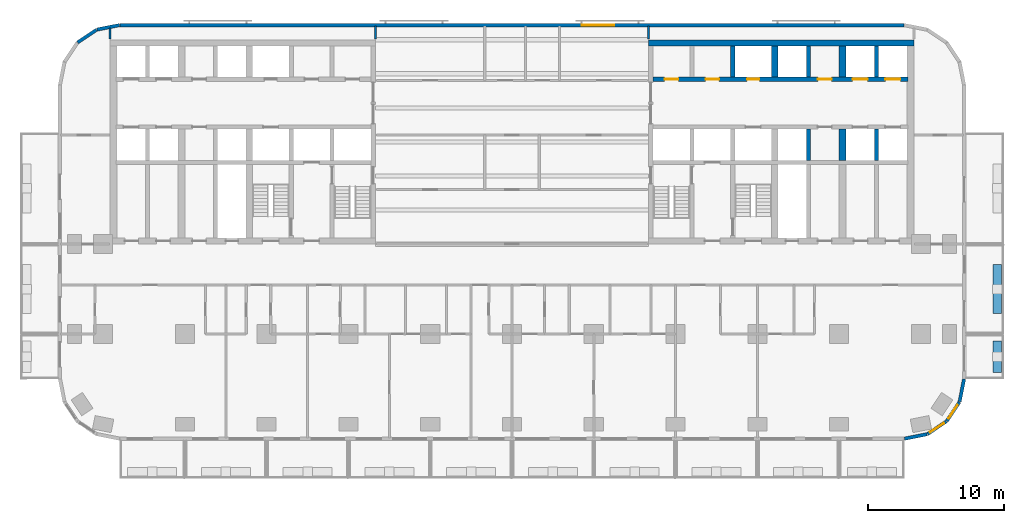
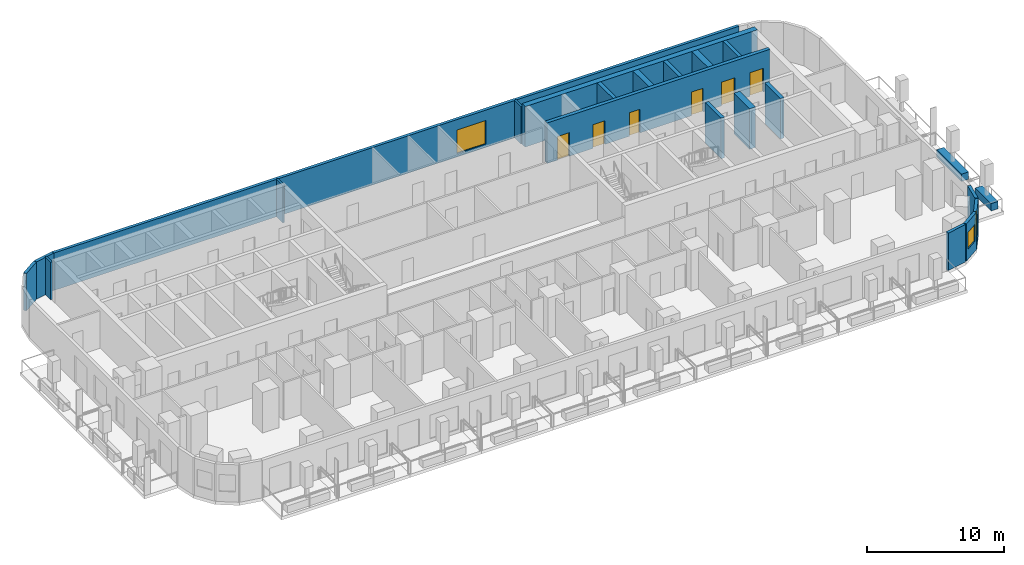
# One storey, part 8 of 14: 22 walls, 6 doors, 3 windows, 9 openings.
"""IFC4 building model written with IfcOpenShell, lengths in metres."""

import ifcopenshell
import ifcopenshell.guid

model = None  # the IFC model being written
_history = None  # IfcOwnerHistory: only IFC2X3 demands one
_inside = {}  # id of a spatial element -> (the spatial element, [elements in it])
_under = {}  # id of a project, library or spatial element -> (it, [spatial elements below it])
_declared = {}  # id of a project -> (the project, [libraries it declares])
_typed = {}  # id of a type object -> (the type object, [elements of that type])
_made_of = {}  # id of a material, layer set ... -> (it, [elements and type objects made of it])


def new_model(schema):
    """Start an empty IFC model of exactly this schema.

    Asked for "IFC4X3", IfcOpenShell would pick the latest addendum, in which some entities
    have other attributes; the version numbers below select the first issue.
    IFC2X3 requires an IfcOwnerHistory on every rooted entity: one is made here for all.
    """
    global model, _history
    if schema == "IFC4X3":
        model = ifcopenshell.file(schema_version=(4, 3, 0, 0))
    else:
        model = ifcopenshell.file(schema=schema)
    _inside.clear()
    _under.clear()
    _declared.clear()
    _typed.clear()
    _made_of.clear()
    _history = None
    if model.schema == "IFC2X3":
        org = make("IfcOrganization", Name="unknown")
        user = make(
            "IfcPersonAndOrganization",
            ThePerson=make("IfcPerson", FamilyName="unknown"),
            TheOrganization=org,
        )
        app = make(
            "IfcApplication",
            ApplicationDeveloper=org,
            Version="unknown",
            ApplicationFullName="unknown",
            ApplicationIdentifier="unknown",
        )
        _history = make(
            "IfcOwnerHistory",
            OwningUser=user,
            OwningApplication=app,
            ChangeAction="ADDED",
            CreationDate=0,
        )
    return model


def make(cls, **values):
    """One entity of the class cls with the attributes given. An attribute that is None is left unset."""
    return model.create_entity(
        cls, **{name: value for name, value in values.items() if value is not None}
    )


def rooted(cls, **values):
    """An entity with a GlobalId (a new one), such as an element, a storey or a relation."""
    return make(cls, GlobalId=ifcopenshell.guid.new(), OwnerHistory=_history, **values)


def si_unit(unit_type, name, prefix=None):
    """IfcSIUnit, for example si_unit("LENGTHUNIT", "METRE", prefix="MILLI")."""
    return make("IfcSIUnit", UnitType=unit_type, Prefix=prefix, Name=name)


def assignment(units):
    """IfcUnitAssignment: the units of a project."""
    return None if units is None else make("IfcUnitAssignment", Units=units)


def point(xyz):
    """IfcCartesianPoint."""
    return None if xyz is None else make("IfcCartesianPoint", Coordinates=xyz)


def direction(xyz):
    """IfcDirection."""
    return None if xyz is None else make("IfcDirection", DirectionRatios=xyz)


def frame(location, z_axis=None, x_axis=None):
    """IfcAxis2Placement3D, a coordinate frame: its origin and axes. An axis left out is left unset."""
    return make(
        "IfcAxis2Placement3D",
        Location=point(location),
        Axis=direction(z_axis),
        RefDirection=direction(x_axis),
    )


def frame_2d(location, x_axis=None):
    """IfcAxis2Placement2D, a coordinate frame in the plane: its origin and x axis."""
    return make(
        "IfcAxis2Placement2D", Location=point(location), RefDirection=direction(x_axis)
    )


def origin():
    """The frame at (0, 0, 0) with its axes left unset."""
    return frame((0.0, 0.0, 0.0))


def place(relative_to, where):
    """IfcLocalPlacement: puts the frame where relative to a parent placement (None: the world)."""
    return make(
        "IfcLocalPlacement", PlacementRelTo=relative_to, RelativePlacement=where
    )


def context(
    kind, dimensions, precision=None, world=None, true_north=None, identifier=None
):
    """IfcGeometricRepresentationContext, for example the 3D "Model" context."""
    return make(
        "IfcGeometricRepresentationContext",
        ContextIdentifier=identifier,
        ContextType=kind,
        CoordinateSpaceDimension=dimensions,
        Precision=precision,
        WorldCoordinateSystem=world,
        TrueNorth=true_north,
    )


def subcontext(parent, identifier, kind, view, scale=None):
    """IfcGeometricRepresentationSubContext, for example "Body" below "Model"."""
    return make(
        "IfcGeometricRepresentationSubContext",
        ContextIdentifier=identifier,
        ContextType=kind,
        ParentContext=parent,
        TargetScale=scale,
        TargetView=view,
    )


def project(units=None, contexts=None):
    """IfcProject with its units and contexts."""
    return rooted(
        "IfcProject",
        Name="project",
        RepresentationContexts=contexts,
        UnitsInContext=assignment(units),
    )


def spatial(cls, under=None, at=None, **own):
    """A site, building, storey or space (cls), placed at a placement, below another one or the project."""
    s = rooted(cls, ObjectPlacement=at, **own)
    if under is not None:
        _under.setdefault(under.id(), (under, []))[1].append(s)
    return s


def profile(cls, at=None, kind="AREA", **sizes):
    """A parametric profile (cls). Its sizes go by their IFC names, for example OverallWidth=200.0."""
    return make(cls, ProfileType=kind, Position=at, **sizes)


def rectangle(**sizes):
    """IfcRectangleProfileDef."""
    return profile("IfcRectangleProfileDef", **sizes)


def extrude(swept, where, along, depth):
    """IfcExtrudedAreaSolid: the profile swept, set in the frame where, extruded along a direction by depth."""
    return make(
        "IfcExtrudedAreaSolid",
        SweptArea=swept,
        Position=where,
        ExtrudedDirection=direction(along),
        Depth=depth,
    )


def shape(context_of_items, identifier, shape_type, items):
    """IfcShapeRepresentation: the items that make up one representation, for example the "Body"."""
    return make(
        "IfcShapeRepresentation",
        ContextOfItems=context_of_items,
        RepresentationIdentifier=identifier,
        RepresentationType=shape_type,
        Items=items,
    )


def material(Name=None, Category=None):
    """IfcMaterial."""
    return make("IfcMaterial", Name=Name, Category=Category)


def layer(
    of_material, thickness, ventilated=None, Name=None, Category=None, Priority=None
):
    """IfcMaterialLayer: one layer of a wall or slab, of a material (None: an air gap)."""
    return make(
        "IfcMaterialLayer",
        Material=of_material,
        LayerThickness=thickness,
        IsVentilated=ventilated,
        Name=Name,
        Category=Category,
        Priority=Priority,
    )


def layer_set(layers, Name=None):
    """IfcMaterialLayerSet."""
    return make("IfcMaterialLayerSet", MaterialLayers=layers, LayerSetName=Name)


def made_of(thing, what):
    """Note that an element or type object is made of a material, layer set ...; save() writes the relation."""
    if what is not None:
        _made_of.setdefault(what.id(), (what, []))[1].append(thing)
    return thing


def type_object(cls, material=None, **own):
    """A type object (cls), such as IfcWallType, which elements share."""
    return made_of(rooted(cls, **own), material)


def element(
    cls,
    number,
    at=None,
    inside=None,
    cuts=None,
    type_object=None,
    material=None,
    context=None,
    identifier="Body",
    shape_type=None,
    held_by="IfcProductDefinitionShape",
    body=None,
    shapes=None,
    **own,
):
    """One element of the class cls, such as IfcWall. Its Tag is "e" and its number.

    at: its placement. inside: the storey or other place that contains it. cuts: it is an
    opening in that element (IfcRelVoidsElement). A single representation is given by context,
    identifier, shape_type and body (its items); several are given by shapes. held_by: the class
    of the entity that holds the representations. save() writes the other relations.
    """
    e = rooted(cls, Tag="e%d" % number, ObjectPlacement=at, **own)
    if body is not None:
        shapes = [shape(context, identifier, shape_type, body)]
    if shapes is not None:
        e.Representation = make(held_by, Representations=shapes)
    if inside is not None:
        _inside.setdefault(inside.id(), (inside, []))[1].append(e)
    if cuts is not None:
        rooted(
            "IfcRelVoidsElement", RelatingBuildingElement=cuts, RelatedOpeningElement=e
        )
    if type_object is not None:
        _typed.setdefault(type_object.id(), (type_object, []))[1].append(e)
    return made_of(e, material)


def fill(opening, filler):
    """IfcRelFillsElement: the door or window that sits in an opening."""
    return rooted(
        "IfcRelFillsElement",
        RelatingOpeningElement=opening,
        RelatedBuildingElement=filler,
    )


def aggregate(whole, parts):
    """IfcRelAggregates: a whole, such as a stair, and the parts it consists of."""
    return rooted("IfcRelAggregates", RelatingObject=whole, RelatedObjects=parts)


def save(model, path):
    """Write the relations noted so far, then the file.

    IfcRelAggregates (storeys below a building ...), IfcRelContainedInSpatialStructure (elements
    in a storey), IfcRelDefinesByType, IfcRelAssociatesMaterial and IfcRelDeclares: one each for
    every whole, place, type object, material and project.
    """
    for whole, parts in _under.values():
        aggregate(whole, parts)
    for where, things in _inside.values():
        rooted(
            "IfcRelContainedInSpatialStructure",
            RelatedElements=things,
            RelatingStructure=where,
        )
    for kind, things in _typed.values():
        rooted("IfcRelDefinesByType", RelatedObjects=things, RelatingType=kind)
    for what, things in _made_of.values():
        rooted("IfcRelAssociatesMaterial", RelatedObjects=things, RelatingMaterial=what)
    for by, libraries in _declared.values():
        rooted("IfcRelDeclares", RelatingContext=by, RelatedDefinitions=libraries)
    model.write(path)


model = new_model("IFC4")

# Units and contexts
model_context = context("Model", 3, precision=1e-05, world=origin(), true_north=direction((0.0, 1.0)))
body_context = subcontext(model_context, "Body", "Model", "MODEL_VIEW")
ifc_project = project(units=[si_unit("LENGTHUNIT", "METRE"), si_unit("AREAUNIT", "SQUARE_METRE"), si_unit("VOLUMEUNIT", "CUBIC_METRE"), si_unit("PLANEANGLEUNIT", "RADIAN"), si_unit("MASSUNIT", "GRAM", prefix="KILO")], contexts=[model_context])

# Site, building, storey
site_placement = place(None, origin())
site = spatial("IfcSite", under=ifc_project, at=site_placement, CompositionType="ELEMENT")
building_placement = place(site_placement, origin())
building = spatial("IfcBuilding", under=site, at=building_placement, Name="Torana Hotel and Residences", CompositionType="ELEMENT")
storey_placement = place(building_placement, frame((0.0, 0.0, 99.60009765625)))
storey = spatial("IfcBuildingStorey", under=building, at=storey_placement, Name="L25", CompositionType="ELEMENT", Elevation=99.60009765625)

# Wall, openings, doors
ifc_material_1 = material(Name="Concrete C80/95", Category="concrete")
ifc_layer_1 = layer(ifc_material_1, 0.300048828125)
ifc_layer_set_1 = layer_set([ifc_layer_1], Name="CORE WALL 300 C80/95")
wall_type_1 = type_object("IfcWallType", Name="CORE WALL 300 C80/95", PredefinedType="SHEAR", material=ifc_layer_set_1)
wall_1_placement = place(storey_placement, frame((10.35009765625, -2.89990234375, 0.0), z_axis=(0.0, 0.0, 1.0), x_axis=(1.0, 0.0, 0.0)))
wall_1 = element("IfcWall", 1, at=wall_1_placement, inside=storey, type_object=wall_type_1, Name="Core wall E row-N", PredefinedType="SHEAR", context=body_context, shape_type="SweptSolid", body=[
    extrude(rectangle(XDim=18.699951171875, YDim=0.300048828125, at=frame_2d((9.35009765625, 0.0))), origin(), (0.0, 0.0, 1.0), 3.599853515625),
])
opening_1_placement = place(wall_1_placement, frame((14.64990234375, 0.0, 0.0)))
opening_1 = element("IfcOpeningElement", 2, at=opening_1_placement, cuts=wall_1, Name="Opening LD", PredefinedType="OPENING", context=body_context, shape_type="SweptSolid", body=[
    extrude(rectangle(XDim=1.10009765625, YDim=2.10009765625, at=frame_2d((0.550048828125, 1.050048828125))), frame((0.0, 0.159912109375, 0.0), z_axis=(0.0, -1.0, 0.0), x_axis=(1.0, 0.0, 0.0)), (0.0, 0.0, 1.0), 0.320068359375),
])
opening_2_placement = place(wall_1_placement, frame((17.050048828125, 0.0, 0.0)))
opening_2 = element("IfcOpeningElement", 3, at=opening_2_placement, cuts=wall_1, Name="Opening LD", PredefinedType="OPENING", context=body_context, shape_type="SweptSolid", body=[
    extrude(rectangle(XDim=1.10009765625, YDim=2.10009765625, at=frame_2d((0.550048828125, 1.050048828125))), frame((0.0, 0.159912109375, 0.0), z_axis=(0.0, -1.0, 0.0), x_axis=(1.0, 0.0, 0.0)), (0.0, 0.0, 1.0), 0.320068359375),
])
opening_3_placement = place(wall_1_placement, frame((6.89990234375, 0.0, 0.0)))
opening_3 = element("IfcOpeningElement", 4, at=opening_3_placement, cuts=wall_1, Name="Opening L25-26", PredefinedType="OPENING", context=body_context, shape_type="SweptSolid", body=[
    extrude(rectangle(XDim=0.89990234375, YDim=2.10009765625, at=frame_2d((0.449951171875, 1.050048828125))), frame((0.0, 0.159912109375, 0.0), z_axis=(0.0, -1.0, 0.0), x_axis=(1.0, 0.0, 0.0)), (0.0, 0.0, 1.0), 0.320068359375),
])
opening_4_placement = place(wall_1_placement, frame((0.85009765625, 0.0, 0.0)))
opening_4 = element("IfcOpeningElement", 5, at=opening_4_placement, cuts=wall_1, Name="Opening L25-27", PredefinedType="OPENING", context=body_context, shape_type="SweptSolid", body=[
    extrude(rectangle(XDim=1.0, YDim=2.10009765625, at=frame_2d((0.5, 1.050048828125))), frame((0.0, 0.159912109375, 0.0), z_axis=(0.0, -1.0, 0.0), x_axis=(1.0, 0.0, 0.0)), (0.0, 0.0, 1.0), 0.320068359375),
])
opening_5_placement = place(wall_1_placement, frame((3.85009765625, 0.0, 0.0)))
opening_5 = element("IfcOpeningElement", 6, at=opening_5_placement, cuts=wall_1, Name="Opening L25-28", PredefinedType="OPENING", context=body_context, shape_type="SweptSolid", body=[
    extrude(rectangle(XDim=1.0, YDim=2.10009765625, at=frame_2d((0.5, 1.050048828125))), frame((0.0, 0.159912109375, 0.0), z_axis=(0.0, -1.0, 0.0), x_axis=(1.0, 0.0, 0.0)), (0.0, 0.0, 1.0), 0.320068359375),
])
opening_6_placement = place(wall_1_placement, frame((12.10009765625, 0.0, 0.0)))
opening_6 = element("IfcOpeningElement", 7, at=opening_6_placement, cuts=wall_1, Name="Opening L25-29", PredefinedType="OPENING", context=body_context, shape_type="SweptSolid", body=[
    extrude(rectangle(XDim=1.0, YDim=2.10009765625, at=frame_2d((0.5, 1.050048828125))), frame((0.0, 0.159912109375, 0.0), z_axis=(0.0, -1.0, 0.0), x_axis=(1.0, 0.0, 0.0)), (0.0, 0.0, 1.0), 0.320068359375),
])
ifc_material_2 = material(Name="Steel S235", Category="steel")
door_type_1 = type_object("IfcDoorType", Name="CORE ROOM FIRE DOOR D14 1000x2100", OperationType="SINGLE_SWING_LEFT", PredefinedType="DOOR", material=ifc_material_2)
door_1_placement = place(opening_4_placement, origin())
door_1 = element("IfcDoor", 8, at=door_1_placement, inside=storey, type_object=door_type_1, Name="N0 door L25", OperationType="SINGLE_SWING_RIGHT", OverallHeight=2.10009765625, OverallWidth=1.0, PredefinedType="DOOR", context=body_context, shape_type="SweptSolid", body=[
    extrude(rectangle(XDim=1.0, YDim=2.10009765625, at=frame_2d((0.5, 1.050048828125))), frame((0.0, 0.02490234375, 0.0), z_axis=(0.0, -1.0, 0.0), x_axis=(1.0, 0.0, 0.0)), (0.0, 0.0, 1.0), 0.050048828125),
])
fill(opening_4, door_1)
door_2_placement = place(opening_5_placement, origin())
door_2 = element("IfcDoor", 9, at=door_2_placement, inside=storey, type_object=door_type_1, Name="N1 door L25", OperationType="SINGLE_SWING_RIGHT", OverallHeight=2.10009765625, OverallWidth=1.0, PredefinedType="DOOR", context=body_context, shape_type="SweptSolid", body=[
    extrude(rectangle(XDim=1.0, YDim=2.10009765625, at=frame_2d((0.5, 1.050048828125))), frame((0.0, 0.02490234375, 0.0), z_axis=(0.0, -1.0, 0.0), x_axis=(1.0, 0.0, 0.0)), (0.0, 0.0, 1.0), 0.050048828125),
])
fill(opening_5, door_2)
door_3_placement = place(opening_6_placement, origin())
door_3 = element("IfcDoor", 10, at=door_3_placement, inside=storey, type_object=door_type_1, Name="Free-M3 door L25", OperationType="SINGLE_SWING_RIGHT", OverallHeight=2.10009765625, OverallWidth=1.0, PredefinedType="DOOR", context=body_context, shape_type="SweptSolid", body=[
    extrude(rectangle(XDim=1.0, YDim=2.10009765625, at=frame_2d((0.5, 1.050048828125))), frame((0.0, 0.02490234375, 0.0), z_axis=(0.0, -1.0, 0.0), x_axis=(1.0, 0.0, 0.0)), (0.0, 0.0, 1.0), 0.050048828125),
])
fill(opening_6, door_3)
ifc_material_3 = material(Name="Stainless steel 316", Category="steel")
door_type_2 = type_object("IfcDoorType", Name="LIFT LANDING DOOR LD 1100x2100", OperationType="DOUBLE_DOOR_SLIDING", PredefinedType="USERDEFINED", material=ifc_material_3)
door_4_placement = place(opening_1_placement, origin())
door_4 = element("IfcDoor", 11, at=door_4_placement, inside=storey, type_object=door_type_2, Name="Lift landing door L5 L25", ObjectType="LIFT LANDING DOOR", OperationType="DOUBLE_DOOR_SLIDING", OverallHeight=2.10009765625, OverallWidth=1.10009765625, PredefinedType="USERDEFINED", context=body_context, shape_type="SweptSolid", body=[
    extrude(rectangle(XDim=1.10009765625, YDim=2.10009765625, at=frame_2d((0.550048828125, 1.050048828125))), frame((0.0, 0.02490234375, 0.0), z_axis=(0.0, -1.0, 0.0), x_axis=(1.0, 0.0, 0.0)), (0.0, 0.0, 1.0), 0.050048828125),
])
fill(opening_1, door_4)
door_5_placement = place(opening_2_placement, origin())
door_5 = element("IfcDoor", 12, at=door_5_placement, inside=storey, type_object=door_type_2, Name="Lift landing door L6 L25", ObjectType="LIFT LANDING DOOR", OperationType="DOUBLE_DOOR_SLIDING", OverallHeight=2.10009765625, OverallWidth=1.10009765625, PredefinedType="USERDEFINED", context=body_context, shape_type="SweptSolid", body=[
    extrude(rectangle(XDim=1.10009765625, YDim=2.10009765625, at=frame_2d((0.550048828125, 1.050048828125))), frame((0.0, 0.02490234375, 0.0), z_axis=(0.0, -1.0, 0.0), x_axis=(1.0, 0.0, 0.0)), (0.0, 0.0, 1.0), 0.050048828125),
])
fill(opening_2, door_5)
ifc_material_4 = material(Name="Steel S235", Category="steel")
door_type_3 = type_object("IfcDoorType", Name="RISER ACCESS DOOR D5 900x2100", OperationType="SINGLE_SWING_LEFT", PredefinedType="DOOR", material=ifc_material_4)
door_6_placement = place(opening_3_placement, origin())
door_6 = element("IfcDoor", 13, at=door_6_placement, inside=storey, type_object=door_type_3, Name="N2 door L25", OperationType="SINGLE_SWING_RIGHT", OverallHeight=2.10009765625, OverallWidth=0.89990234375, PredefinedType="DOOR", context=body_context, shape_type="SweptSolid", body=[
    extrude(rectangle(XDim=0.89990234375, YDim=2.10009765625, at=frame_2d((0.449951171875, 1.050048828125))), frame((0.0, 0.02490234375, 0.0), z_axis=(0.0, -1.0, 0.0), x_axis=(1.0, 0.0, 0.0)), (0.0, 0.0, 1.0), 0.050048828125),
])
fill(opening_3, door_6)

# Walls
for number, where, z_axis, x_axis, name in (
    (14, (16.199951171875, -2.75, 0.0), (0.0, 0.0, 1.0), (0.0, 1.0, 0.0), "Core wall E x6.05-N"),
    (15, (21.75, -2.75, 0.0), (0.0, 0.0, 1.0), (0.0, 1.0, 0.0), "Core wall E mm-N"),
    (16, (21.75, -8.85009765625, 0.0), (0.0, 0.0, 1.0), (0.0, 1.0, 0.0), "Core wall E mm-S"),
    (17, (26.75, -2.75, 0.0), (0.0, 0.0, 1.0), (0.0, 1.0, 0.0), "Core wall E ll-N"),
    (18, (26.75, -8.85009765625, 0.0), (0.0, 0.0, 1.0), (0.0, 1.0, 0.0), "Core wall E ll-S"),
):
    element("IfcWall", number, at=place(storey_placement, frame(where, z_axis=z_axis, x_axis=x_axis)), inside=storey, type_object=wall_type_1, Name=name, PredefinedType="SHEAR", context=body_context, shape_type="SweptSolid", body=[
        extrude(rectangle(XDim=2.300048828125, YDim=0.300048828125, at=frame_2d((1.14990234375, 0.0))), origin(), (0.0, 0.0, 1.0), 3.599853515625),
    ])
ifc_material_5 = material(Name="Concrete C80/95", Category="concrete")
ifc_layer_2 = layer(ifc_material_5, 0.449951171875)
ifc_layer_set_2 = layer_set([ifc_layer_2], Name="CORE WALL 450 C80/95")
wall_type_2 = type_object("IfcWallType", Name="CORE WALL 450 C80/95", PredefinedType="SHEAR", material=ifc_layer_set_2)
wall_2_placement = place(storey_placement, frame((10.0, -0.22509765625, 0.0), z_axis=(0.0, 0.0, 1.0), x_axis=(1.0, 0.0, 0.0)))
element("IfcWall", 19, at=wall_2_placement, inside=storey, type_object=wall_type_2, Name="Core wall E rear", PredefinedType="SHEAR", context=body_context, shape_type="SweptSolid", body=[
    extrude(rectangle(XDim=19.5, YDim=0.449951171875, at=frame_2d((9.75, 0.0))), origin(), (0.0, 0.0, 1.0), 3.599853515625),
])
wall_3_placement = place(storey_placement, frame((19.27490234375, -2.75, 0.0), z_axis=(0.0, 0.0, 1.0), x_axis=(0.0, 1.0, 0.0)))
element("IfcWall", 20, at=wall_3_placement, inside=storey, type_object=wall_type_2, Name="Core wall E hm-N", PredefinedType="SHEAR", context=body_context, shape_type="SweptSolid", body=[
    extrude(rectangle(XDim=2.300048828125, YDim=0.449951171875, at=frame_2d((1.14990234375, 0.0))), origin(), (0.0, 0.0, 1.0), 3.599853515625),
])
ifc_material_6 = material(Name="Concrete C80/95", Category="concrete")
ifc_layer_3 = layer(ifc_material_6, 0.5)
ifc_layer_set_3 = layer_set([ifc_layer_3], Name="CORE WALL 500 C80/95")
wall_type_3 = type_object("IfcWallType", Name="CORE WALL 500 C80/95", PredefinedType="SHEAR", material=ifc_layer_set_3)
for number, where, z_axis, x_axis, name in (
    (21, (24.25, -2.75, 0.0), (0.0, 0.0, 1.0), (0.0, 1.0, 0.0), "Core wall E ml-N"),
    (22, (24.25, -8.85009765625, 0.0), (0.0, 0.0, 1.0), (0.0, 1.0, 0.0), "Core wall E ml-S"),
):
    element("IfcWall", number, at=place(storey_placement, frame(where, z_axis=z_axis, x_axis=x_axis)), inside=storey, type_object=wall_type_3, Name=name, PredefinedType="SHEAR", context=body_context, shape_type="SweptSolid", body=[
        extrude(rectangle(XDim=2.300048828125, YDim=0.5, at=frame_2d((1.14990234375, 0.0))), origin(), (0.0, 0.0, 1.0), 3.599853515625),
    ])
ifc_material_7 = material(Name="Black aluminium composite panel", Category="aluminium")
ifc_layer_4 = layer(ifc_material_7, 0.00390625, Name="Cladding", Category="cladding")
ifc_material_8 = material(Name="Ventilated air cavity")
ifc_layer_5 = layer(ifc_material_8, 0.0400390625, Name="Ventilated cavity", Category="cavity")
ifc_material_9 = material(Name="Mineral wool insulation")
ifc_layer_6 = layer(ifc_material_9, 0.090087890625, Name="Insulation", Category="insulation")
ifc_material_10 = material(Name="Steel S280GD", Category="steel")
ifc_layer_7 = layer(ifc_material_10, 0.092041015625, Name="Steel stud frame", Category="structure")
ifc_material_11 = material(Name="Fire rated plasterboard")
ifc_layer_8 = layer(ifc_material_11, 0.011962890625, Name="Inner board", Category="finish")
ifc_layer_9 = layer(ifc_material_11, 0.011962890625, Name="Second board", Category="finish")
ifc_layer_set_4 = layer_set([ifc_layer_4, ifc_layer_5, ifc_layer_6, ifc_layer_7, ifc_layer_8, ifc_layer_9], Name="EW1 EXTERNAL WALL BLACK METAL CLAD 250")
wall_type_4 = type_object("IfcWallType", Name="EW1 EXTERNAL WALL BLACK METAL CLAD 250", PredefinedType="SOLIDWALL", material=ifc_layer_set_4)
wall_4_placement = place(storey_placement, frame((-28.7998046875, 1.072509765625, 0.0), z_axis=(0.0, 0.0, 1.0), x_axis=(-0.980803419081, -0.194999110559, 0.0)))
element("IfcWall", 23, at=wall_4_placement, inside=storey, type_object=wall_type_4, Name="External wall L25 e0.5", PredefinedType="SOLIDWALL", context=body_context, shape_type="SweptSolid", body=[
    extrude(rectangle(XDim=1.681396484375, YDim=0.25, at=frame_2d((0.8408203125, 0.0))), origin(), (0.0, 0.0, 1.0), 3.31982421875),
])
wall_5_placement = place(storey_placement, frame((-30.493896484375, 0.725830078125, 0.0), z_axis=(0.0, 0.0, 1.0), x_axis=(-0.831482937015, -0.55555029066, 0.0)))
element("IfcWall", 24, at=wall_5_placement, inside=storey, type_object=wall_type_4, Name="External wall L25 e0.6", PredefinedType="SOLIDWALL", context=body_context, shape_type="SweptSolid", body=[
    extrude(rectangle(XDim=1.65625, YDim=0.25, at=frame_2d((0.828125, 0.0))), origin(), (0.0, 0.0, 1.0), 3.31982421875),
])
wall_6_placement = place(storey_placement, frame((28.7998046875, -29.272705078125, 0.0), z_axis=(0.0, 0.0, 1.0), x_axis=(0.980775640221, 0.19513878023, 0.0)))
element("IfcWall", 25, at=wall_6_placement, inside=storey, type_object=wall_type_4, Name="External wall L25 e0.15", PredefinedType="SOLIDWALL", context=body_context, shape_type="SweptSolid", body=[
    extrude(rectangle(XDim=1.681396484375, YDim=0.25, at=frame_2d((0.8408203125, 0.0))), origin(), (0.0, 0.0, 1.0), 3.31982421875),
])

# Wall, opening, window
wall_7_placement = place(storey_placement, frame((30.493896484375, -28.92578125, 0.0), z_axis=(0.0, 0.0, 1.0), x_axis=(0.831482937015, 0.55555029066, 0.0)))
wall_7 = element("IfcWall", 26, at=wall_7_placement, inside=storey, type_object=wall_type_4, Name="External wall L25 e0.16", PredefinedType="SOLIDWALL", context=body_context, shape_type="SweptSolid", body=[
    extrude(rectangle(XDim=1.65625, YDim=0.25, at=frame_2d((0.828125, 0.0))), origin(), (0.0, 0.0, 1.0), 3.31982421875),
])
opening_7_placement = place(wall_7_placement, frame((0.228271484375, 0.0, 0.89990234375)))
opening_7 = element("IfcOpeningElement", 27, at=opening_7_placement, cuts=wall_7, Name="Opening W5", PredefinedType="OPENING", context=body_context, shape_type="SweptSolid", body=[
    extrude(rectangle(XDim=1.199951171875, YDim=1.5, at=frame_2d((0.60009765625, 0.75))), frame((0.0, 0.135009765625, 0.0), z_axis=(0.0, -1.0, 0.0), x_axis=(1.0, 0.0, 0.0)), (0.0, 0.0, 1.0), 0.27001953125),
])
ifc_material_12 = material(Name="Dark glass in black aluminium frame", Category="aluminium")
window_type_1 = type_object("IfcWindowType", Name="W5 CORNER FACET WINDOW 1200x1500", PartitioningType="SINGLE_PANEL", PredefinedType="WINDOW", material=ifc_material_12)
window_1_placement = place(opening_7_placement, origin())
window_1 = element("IfcWindow", 28, at=window_1_placement, inside=storey, type_object=window_type_1, Name="Window L25 e0.16", OverallHeight=1.5, OverallWidth=1.199951171875, PartitioningType="SINGLE_PANEL", PredefinedType="WINDOW", context=body_context, shape_type="SweptSolid", body=[
    extrude(rectangle(XDim=1.199951171875, YDim=1.5, at=frame_2d((0.60009765625, 0.75))), frame((0.0, 0.030029296875, 0.0), z_axis=(0.0, -1.0, 0.0), x_axis=(1.0, 0.0, 0.0)), (0.0, 0.0, 1.0), 0.06005859375),
])
fill(opening_7, window_1)

wall_8_placement = place(storey_placement, frame((31.90576171875, -27.97119140625, 0.0), z_axis=(0.0, 0.0, 1.0), x_axis=(0.55555029066, 0.831482937015, 0.0)))
wall_8 = element("IfcWall", 29, at=wall_8_placement, inside=storey, type_object=wall_type_4, Name="External wall L25 e0.17", PredefinedType="SOLIDWALL", context=body_context, shape_type="SweptSolid", body=[
    extrude(rectangle(XDim=1.65625, YDim=0.25, at=frame_2d((0.828125, 0.0))), origin(), (0.0, 0.0, 1.0), 3.31982421875),
])
opening_8_placement = place(wall_8_placement, frame((0.228271484375, 0.0, 0.89990234375)))
opening_8 = element("IfcOpeningElement", 30, at=opening_8_placement, cuts=wall_8, Name="Opening W5", PredefinedType="OPENING", context=body_context, shape_type="SweptSolid", body=[
    extrude(rectangle(XDim=1.199951171875, YDim=1.5, at=frame_2d((0.60009765625, 0.75))), frame((0.0, 0.135009765625, 0.0), z_axis=(0.0, -1.0, 0.0), x_axis=(1.0, 0.0, 0.0)), (0.0, 0.0, 1.0), 0.27001953125),
])
window_2_placement = place(opening_8_placement, origin())
window_2 = element("IfcWindow", 31, at=window_2_placement, inside=storey, type_object=window_type_1, Name="Window L25 e0.17", OverallHeight=1.5, OverallWidth=1.199951171875, PartitioningType="SINGLE_PANEL", PredefinedType="WINDOW", context=body_context, shape_type="SweptSolid", body=[
    extrude(rectangle(XDim=1.199951171875, YDim=1.5, at=frame_2d((0.60009765625, 0.75))), frame((0.0, 0.030029296875, 0.0), z_axis=(0.0, -1.0, 0.0), x_axis=(1.0, 0.0, 0.0)), (0.0, 0.0, 1.0), 0.06005859375),
])
fill(opening_8, window_2)

# Wall
wall_9_placement = place(storey_placement, frame((32.844482421875, -26.548828125, 0.0), z_axis=(0.0, 0.0, 1.0), x_axis=(0.195166572128, 0.980770110232, 0.0)))
element("IfcWall", 32, at=wall_9_placement, inside=storey, type_object=wall_type_4, Name="External wall L25 e0.18", PredefinedType="SOLIDWALL", context=body_context, shape_type="SweptSolid", body=[
    extrude(rectangle(XDim=1.68115234375, YDim=0.25, at=frame_2d((0.840576171875, 0.0))), origin(), (0.0, 0.0, 1.0), 3.31982421875),
])

# Wall, opening, window
ifc_material_13 = material(Name="Concrete C40/50 precast", Category="concrete")
ifc_layer_10 = layer(ifc_material_13, 0.10009765625, Name="Perforated block", Category="cladding")
ifc_material_14 = material(Name="Air cavity")
ifc_layer_11 = layer(ifc_material_14, 0.030029296875, Name="Cavity", Category="cavity")
ifc_material_15 = material(Name="Concrete C40/50", Category="concrete")
ifc_layer_12 = layer(ifc_material_15, 0.10009765625, Name="Wall", Category="structure")
ifc_material_16 = material(Name="Plaster and paint")
ifc_layer_13 = layer(ifc_material_16, 0.02001953125, Name="Inner finish", Category="finish")
ifc_layer_set_5 = layer_set([ifc_layer_10, ifc_layer_11, ifc_layer_12, ifc_layer_13], Name="EW2 PERFORATED BLOCK SCREEN WALL 250")
wall_type_5 = type_object("IfcWallType", Name="EW2 PERFORATED BLOCK SCREEN WALL 250", PredefinedType="SOLIDWALL", material=ifc_layer_set_5)
wall_10_placement = place(storey_placement, frame((28.775390625, 1.074951171875, 0.0), z_axis=(0.0, 0.0, 1.0), x_axis=(-1.0, 0.0, 0.0)))
wall_10 = element("IfcWall", 33, at=wall_10_placement, inside=storey, type_object=wall_type_5, Name="External wall L25 e0.4", PredefinedType="SOLIDWALL", context=body_context, shape_type="SweptSolid", body=[
    extrude(rectangle(XDim=57.55078125, YDim=0.25, at=frame_2d((28.775390625, 0.0))), origin(), (0.0, 0.0, 1.0), 3.31982421875),
])
opening_9_placement = place(wall_10_placement, frame((21.275390625, 0.0, 0.300048828125)))
opening_9 = element("IfcOpeningElement", 34, at=opening_9_placement, cuts=wall_10, Name="Opening W1", PredefinedType="OPENING", context=body_context, shape_type="SweptSolid", body=[
    extrude(rectangle(XDim=2.39990234375, YDim=2.10009765625, at=frame_2d((1.199951171875, 1.050048828125))), frame((0.0, 0.135009765625, 0.0), z_axis=(0.0, -1.0, 0.0), x_axis=(1.0, 0.0, 0.0)), (0.0, 0.0, 1.0), 0.27001953125),
])
ifc_material_17 = material(Name="Dark glass in black aluminium frame", Category="aluminium")
window_type_2 = type_object("IfcWindowType", Name="W1 HOTEL ROOM WINDOW 2400x2100", PartitioningType="SINGLE_PANEL", PredefinedType="WINDOW", material=ifc_material_17)
window_3_placement = place(opening_9_placement, origin())
window_3 = element("IfcWindow", 35, at=window_3_placement, inside=storey, type_object=window_type_2, Name="Window L25", OverallHeight=2.10009765625, OverallWidth=2.39990234375, PartitioningType="SINGLE_PANEL", PredefinedType="WINDOW", context=body_context, shape_type="SweptSolid", body=[
    extrude(rectangle(XDim=2.39990234375, YDim=2.10009765625, at=frame_2d((1.199951171875, 1.050048828125))), frame((0.0, 0.030029296875, 0.0), z_axis=(0.0, -1.0, 0.0), x_axis=(1.0, 0.0, 0.0)), (0.0, 0.0, 1.0), 0.06005859375),
])
fill(opening_9, window_3)

# Walls
ifc_material_18 = material(Name="Gypsum plasterboard")
ifc_layer_14 = layer(ifc_material_18, 0.012451171875, Name="Plasterboard", Category="finish")
ifc_layer_15 = layer(ifc_material_18, 0.012451171875, Name="Plasterboard", Category="finish")
ifc_layer_16 = layer(ifc_material_10, 0.10009765625, Name="Steel studs with mineral wool", Category="insulation")
ifc_layer_17 = layer(ifc_material_18, 0.012451171875, Name="Plasterboard", Category="finish")
ifc_layer_18 = layer(ifc_material_18, 0.012451171875, Name="Plasterboard", Category="finish")
ifc_layer_set_6 = layer_set([ifc_layer_14, ifc_layer_15, ifc_layer_16, ifc_layer_17, ifc_layer_18], Name="PARTITION 150 PLASTERBOARD")
wall_type_6 = type_object("IfcWallType", Name="PARTITION 150 PLASTERBOARD", PredefinedType="PARTITIONING", material=ifc_layer_set_6)
for number, where, z_axis, x_axis, name in (
    (36, (10.0, 0.050048828125, 0.0), (0.0, 0.0, 1.0), (0.0, 1.0, 0.0), "Partition L25"),
    (37, (-10.0, 0.050048828125, 0.0), (0.0, 0.0, 1.0), (0.0, 1.0, 0.0), "Partition L25"),
):
    element("IfcWall", number, at=place(storey_placement, frame(where, z_axis=z_axis, x_axis=x_axis)), inside=storey, type_object=wall_type_6, Name=name, PredefinedType="PARTITIONING", context=body_context, shape_type="SweptSolid", body=[
        extrude(rectangle(XDim=0.969970703125, YDim=0.14990234375, at=frame_2d((0.48486328125, 0.0))), origin(), (0.0, 0.0, 1.0), 3.31982421875),
    ])
wall_11_placement = place(storey_placement, frame((-29.5, 0.050048828125, 0.0), z_axis=(0.0, 0.0, 1.0), x_axis=(0.0, 1.0, 0.0)))
element("IfcWall", 38, at=wall_11_placement, inside=storey, type_object=wall_type_6, Name="Partition L25", PredefinedType="PARTITIONING", context=body_context, shape_type="SweptSolid", body=[
    extrude(rectangle(XDim=0.8271484375, YDim=0.14990234375, at=frame_2d((0.41357421875, 0.0))), origin(), (0.0, 0.0, 1.0), 3.31982421875),
])
ifc_layer_19 = layer(ifc_material_13, 0.10009765625, Name="Planter shell", Category="structure")
ifc_material_19 = material(Name="Root resistant membrane")
ifc_layer_20 = layer(ifc_material_19, 0.00390625, Name="Waterproofing membrane", Category="membrane")
ifc_material_20 = material(Name="Drainage board with filter fleece")
ifc_layer_21 = layer(ifc_material_20, 0.02001953125, Name="Drainage board", Category="drainage")
ifc_material_21 = material(Name="Growing medium")
ifc_layer_22 = layer(ifc_material_21, 0.47607421875, Name="Planting substrate", Category="soil")
ifc_layer_set_7 = layer_set([ifc_layer_19, ifc_layer_20, ifc_layer_21, ifc_layer_22], Name="PL1 BALCONY PLANTER 600")
wall_type_7 = type_object("IfcWallType", Name="PL1 BALCONY PLANTER 600", PredefinedType="USERDEFINED", material=ifc_layer_set_7)
wall_12_placement = place(storey_placement, frame((35.60009765625, -22.10009765625, 0.0), z_axis=(0.0, 0.0, 1.0), x_axis=(0.0, -1.0, 0.0)))
element("IfcWall", 39, at=wall_12_placement, inside=storey, type_object=wall_type_7, Name="Planter 14", ObjectType="PLANTER", PredefinedType="USERDEFINED", context=body_context, shape_type="SweptSolid", body=[
    extrude(rectangle(XDim=2.2998046875, YDim=0.60009765625, at=frame_2d((1.14990234375, 0.0))), origin(), (0.0, 0.0, 1.0), 0.64990234375),
])
wall_13_placement = place(storey_placement, frame((35.60009765625, -16.5, 0.0), z_axis=(0.0, 0.0, 1.0), x_axis=(0.0, -1.0, 0.0)))
element("IfcWall", 40, at=wall_13_placement, inside=storey, type_object=wall_type_7, Name="Planter 15", ObjectType="PLANTER", PredefinedType="USERDEFINED", context=body_context, shape_type="SweptSolid", body=[
    extrude(rectangle(XDim=3.60009765625, YDim=0.60009765625, at=frame_2d((1.800048828125, 0.0))), origin(), (0.0, 0.0, 1.0), 0.64990234375),
])

save(model, "model.ifc")
